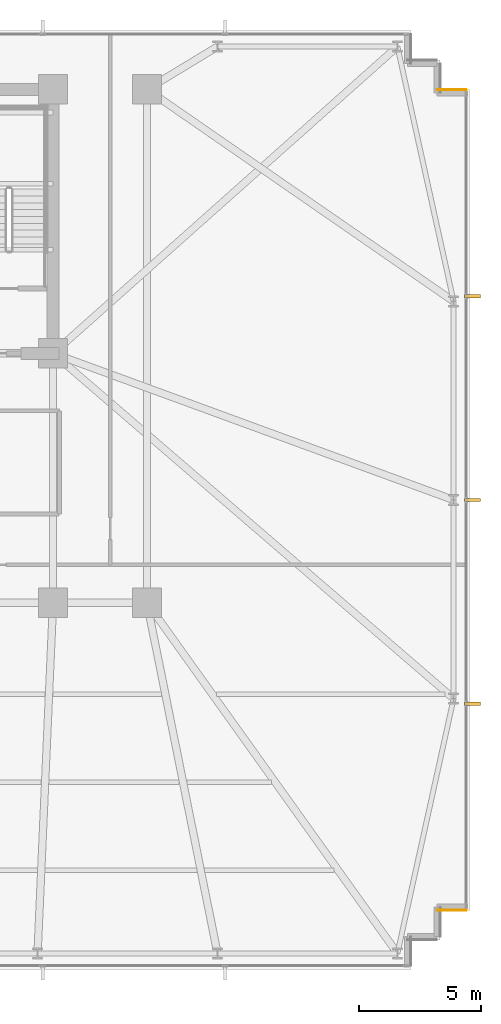
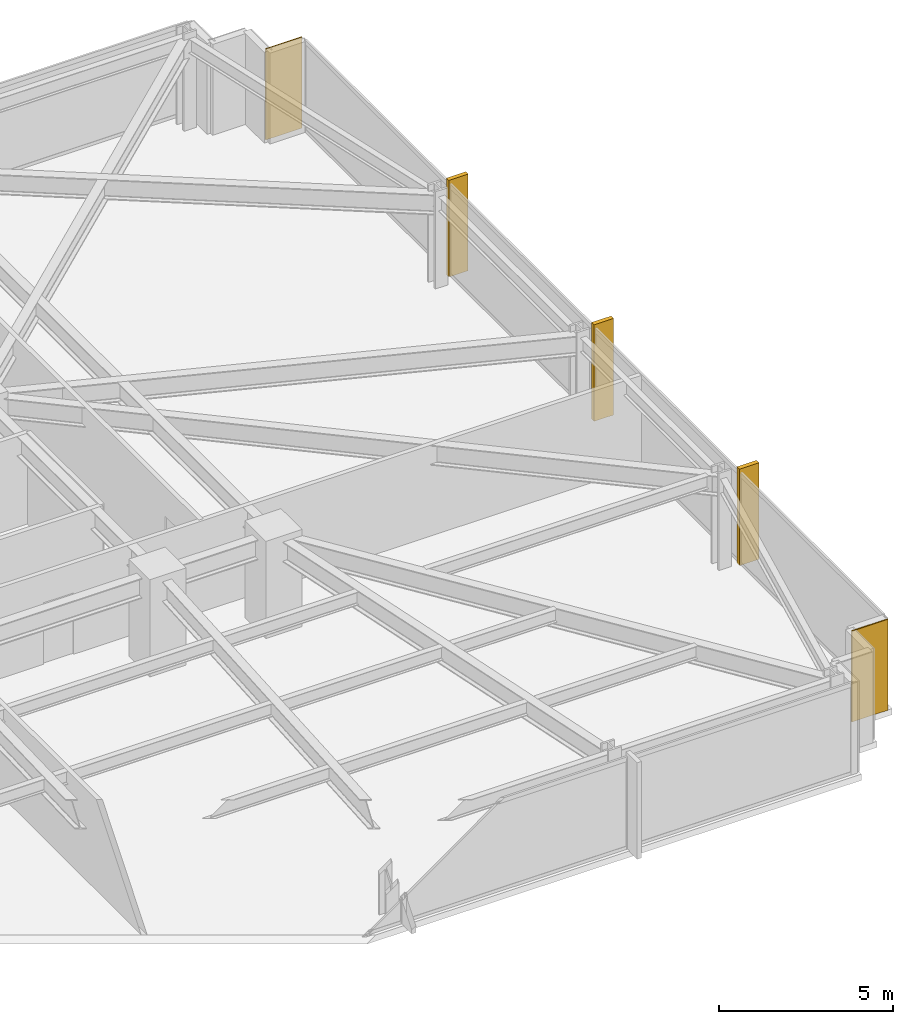
# One storey, part 32 of 32: 3 shading devices, 2 coverings.
"""IFC4 building model written with IfcOpenShell, lengths in metres."""

from ifc_helpers import new_model, si_unit, direction, frame, frame_2d, origin, origin_2d, place, context, subcontext, project, spatial, rectangle, extrude, material, layer, layer_set, type_object, element, save


model = new_model("IFC4")

# Units and contexts
model_context = context("Model", 3, precision=1e-05, world=origin(), true_north=direction((0.0, 1.0)))
body_context = subcontext(model_context, "Body", "Model", "MODEL_VIEW")
ifc_project = project(units=[si_unit("LENGTHUNIT", "METRE"), si_unit("AREAUNIT", "SQUARE_METRE"), si_unit("VOLUMEUNIT", "CUBIC_METRE"), si_unit("PLANEANGLEUNIT", "RADIAN"), si_unit("MASSUNIT", "GRAM", prefix="KILO")], contexts=[model_context])

# Site, building, storey
site_placement = place(None, origin())
site = spatial("IfcSite", under=ifc_project, at=site_placement, CompositionType="ELEMENT")
building_placement = place(site_placement, origin())
building = spatial("IfcBuilding", under=site, at=building_placement, Name="Yelkora Congress Tower", CompositionType="ELEMENT")
storey_placement = place(building_placement, frame((0.0, 0.0, 57.60009765625)))
storey = spatial("IfcBuildingStorey", under=building, at=storey_placement, Name="L14", CompositionType="ELEMENT", Elevation=57.60009765625)

# Coverings
ifc_material_1 = material(Name="Anatolian bush-hammered limestone", Category="masonry")
ifc_layer_1 = layer(ifc_material_1, 0.0400390625)
ifc_layer_set_1 = layer_set([ifc_layer_1], Name="Anatolian bush-hammered limestone")
covering_type = type_object("IfcCoveringType", Name="COV-CLAD-SPANDREL-40", PredefinedType="CLADDING", material=ifc_layer_set_1)
for number, where, z_axis, x_axis, name in (
    (1, (69.4599609375, 46.195068359375, 0.0), (0.0, 0.0, 1.0), (1.0, 0.0, 0.0), "L14 Anatolian Limestone Cladding EW-L14-SR14"),
    (2, (70.659912109375, 12.60498046875, 0.0), (0.0, 0.0, 1.0), (-1.0, 0.0, 0.0), "L14 Anatolian Limestone Cladding EW-L14-SR16"),
):
    element("IfcCovering", number, at=place(storey_placement, frame(where, z_axis=z_axis, x_axis=x_axis)), inside=storey, type_object=covering_type, Name=name, PredefinedType="CLADDING", context=body_context, shape_type="SweptSolid", body=[
        extrude(rectangle(XDim=1.199951171875, YDim=0.0400390625, at=frame_2d((0.60009765625, 0.0))), origin(), (0.0, 0.0, 1.0), 3.179931640625),
    ])

# Shading devices
ifc_material_2 = material(Name="Champagne anodised aluminium", Category="aluminium")
ifc_layer_2 = layer(ifc_material_2, 3.39990234375)
ifc_layer_set_2 = layer_set([ifc_layer_2], Name="Champagne anodised aluminium")
shading_device_type = type_object("IfcShadingDeviceType", Name="SHD-FIN-ALU-640", PredefinedType="USERDEFINED", material=ifc_layer_set_2)
for number, where, z_axis, x_axis, name in (
    (3, (70.919921875, 37.72998046875, -0.030029296875), (0.0, 0.0, 1.0), (0.0, -1.0, 0.0), "L14 Vertical Anodised Solar Fin 15-1"),
    (4, (70.919921875, 29.39990234375, -0.030029296875), (0.0, 0.0, 1.0), (0.0, -1.0, 0.0), "L14 Vertical Anodised Solar Fin 15-2"),
    (5, (70.919921875, 21.070068359375, -0.030029296875), (0.0, 0.0, 1.0), (0.0, -1.0, 0.0), "L14 Vertical Anodised Solar Fin 15-3"),
):
    element("IfcShadingDevice", number, at=place(storey_placement, frame(where, z_axis=z_axis, x_axis=x_axis)), inside=storey, type_object=shading_device_type, Name=name, ObjectType="FIN", PredefinedType="USERDEFINED", context=body_context, shape_type="SweptSolid", body=[
        extrude(rectangle(XDim=0.139892578125, YDim=0.639892578125, at=origin_2d()), origin(), (0.0, 0.0, 1.0), 3.3798828125),
    ])

save(model, "model.ifc")
